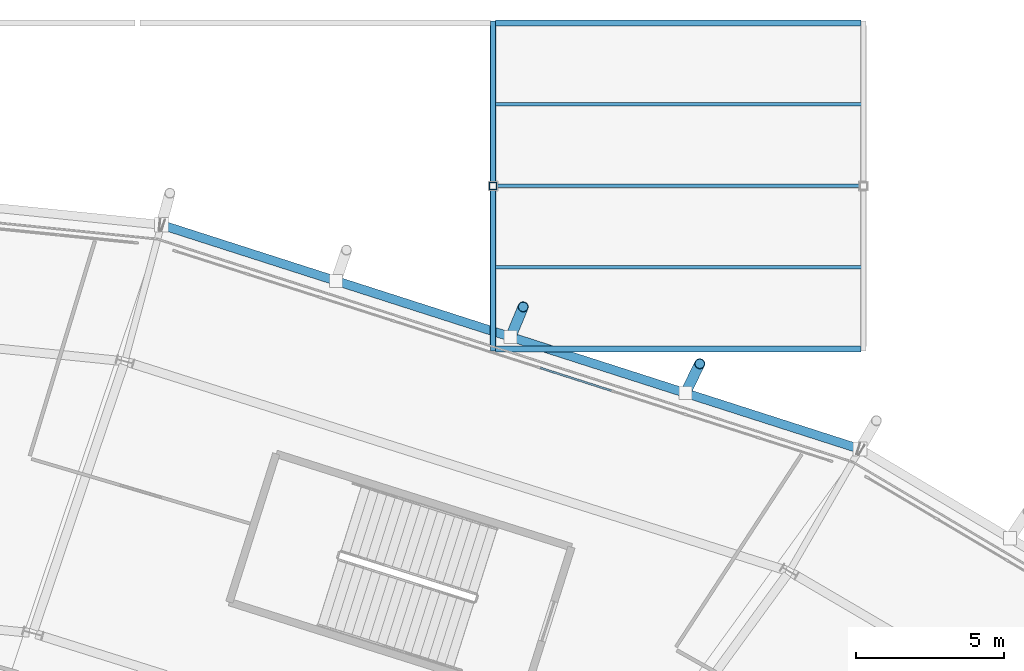
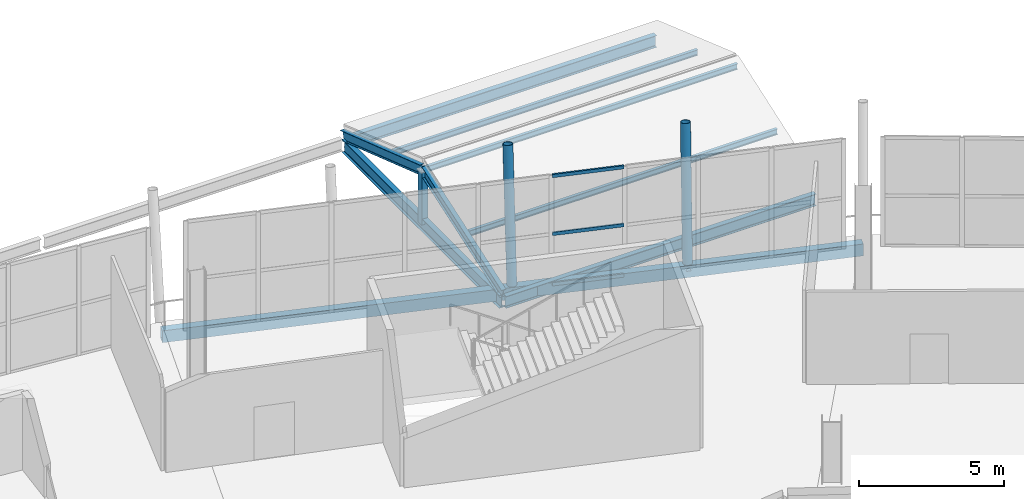
# One storey, part 59 of 126: 11 members, 4 beams, 1 element without a shape of its own.
"""IFC4 building model written with IfcOpenShell, lengths in metres."""

from ifc_helpers import new_model, si_unit, direction, frame, origin, origin_2d, place, context, subcontext, project, spatial, rectangle, hollow_rectangle, hollow_circle, i_section, extrude, material, material_profile, profile_set, type_object, element, aggregate, save


model = new_model("IFC4")

# Units and contexts
model_context = context("Model", 3, precision=1e-05, world=origin(), true_north=direction((0.0, 1.0)))
body_context = subcontext(model_context, "Body", "Model", "MODEL_VIEW")
ifc_project = project(units=[si_unit("LENGTHUNIT", "METRE"), si_unit("AREAUNIT", "SQUARE_METRE"), si_unit("VOLUMEUNIT", "CUBIC_METRE"), si_unit("PLANEANGLEUNIT", "RADIAN"), si_unit("MASSUNIT", "GRAM", prefix="KILO")], contexts=[model_context])

# Site, building, storey
site_placement = place(None, origin())
site = spatial("IfcSite", under=ifc_project, at=site_placement, CompositionType="ELEMENT")
building_placement = place(site_placement, origin())
building = spatial("IfcBuilding", under=site, at=building_placement, Name="Zlatoyarsky Gate Stadium", CompositionType="ELEMENT")
storey_placement = place(building_placement, frame((0.0, 0.0, 20.800048828125)))
storey = spatial("IfcBuildingStorey", under=building, at=storey_placement, Name="L04", CompositionType="ELEMENT", Elevation=20.800048828125)

# Curtain wall, members
ifc_material_1 = material(Name="Thermally broken anodised aluminium curtain wall", Category="aluminium")
curtain_wall_type = type_object("IfcCurtainWallType", Name="UNITISED MEDIA RING GLAZING L04", PredefinedType="USERDEFINED", material=ifc_material_1)
curtain_wall_placement = place(storey_placement, origin())
curtain_wall = element("IfcCurtainWall", 1, at=curtain_wall_placement, inside=storey, type_object=curtain_wall_type, Name="Curtain wall CW-L04-04", ObjectType="UNITISED GLAZING", PredefinedType="USERDEFINED")
ifc_material_2 = material(Name="Anodised aluminium 6063-T6", Category="aluminium")
ifc_material_profile_1 = material_profile(ifc_material_2, rectangle(XDim=0.06494140625, YDim=0.139892578125, at=origin_2d()), Name="ALU 65X140")
ifc_profile_set_1 = profile_set([ifc_material_profile_1], Name="Anodised aluminium 6063-T6")
member_type_1 = type_object("IfcMemberType", Name="ALUMINIUM TRANSOM 65X140", PredefinedType="USERDEFINED", material=ifc_profile_set_1)
member_1_placement = place(storey_placement, frame((151.49365234375, 147.588134765625, 0.032470703125), z_axis=(-0.952335304296, 0.305053221901, 0.0), x_axis=(-0.305053221901, -0.952335304296, 0.0)))
member_1 = element("IfcMember", 2, at=member_1_placement, type_object=member_type_1, Name="CW-UG4 transom 4.1", ObjectType="TRANSOM", PredefinedType="USERDEFINED", context=body_context, shape_type="SweptSolid", body=[
    extrude(rectangle(XDim=0.06494140625, YDim=0.139892578125, at=origin_2d()), origin(), (0.0, 0.0, 1.0), 2.521728515625),
])
member_2_placement = place(storey_placement, frame((151.49365234375, 147.588134765625, 2.14990234375), z_axis=(-0.952335304296, 0.305053221901, 0.0), x_axis=(-0.305053221901, -0.952335304296, 0.0)))
member_2 = element("IfcMember", 3, at=member_2_placement, type_object=member_type_1, Name="CW-UG4 transom 4.2", ObjectType="TRANSOM", PredefinedType="USERDEFINED", context=body_context, shape_type="SweptSolid", body=[
    extrude(rectangle(XDim=0.06494140625, YDim=0.139892578125, at=origin_2d()), origin(), (0.0, 0.0, 1.0), 2.521728515625),
])
member_3_placement = place(storey_placement, frame((151.49365234375, 147.588134765625, 4.58740234375), z_axis=(-0.952335304296, 0.305053221901, 0.0), x_axis=(-0.305053221901, -0.952335304296, 0.0)))
member_3 = element("IfcMember", 4, at=member_3_placement, type_object=member_type_1, Name="CW-UG4 transom 4.3", ObjectType="TRANSOM", PredefinedType="USERDEFINED", context=body_context, shape_type="SweptSolid", body=[
    extrude(rectangle(XDim=0.06494140625, YDim=0.139892578125, at=origin_2d()), origin(), (0.0, 0.0, 1.0), 2.521728515625),
])
aggregate(curtain_wall, [member_1, member_2, member_3])

# Beams
ifc_material_3 = material(Name="Steel S355", Category="steel")
ifc_material_profile_2 = material_profile(ifc_material_3, i_section(OverallWidth=0.199951171875, OverallDepth=0.5, WebThickness=0.01025390625, FlangeThickness=0.01611328125, FilletRadius=0.02099609375, at=origin_2d()), Name="IPE 500")
ifc_profile_set_2 = profile_set([ifc_material_profile_2], Name="Steel S355")
beam_type_1 = type_object("IfcBeamType", Name="STEEL FLOOR BEAM IPE 500", PredefinedType="BEAM", material=ifc_profile_set_2)
for number, where, z_axis, x_axis, name in (
    (5, (147.580078125, 149.0, -0.550048828125), (1.0, 0.0, 0.0), (0.0, 1.0, 0.0), "Beam B-IPE500 BM-L04-WGX-13-P"),
    (6, (147.580078125, 160.0, -0.550048828125), (1.0, 0.0, 0.0), (0.0, 1.0, 0.0), "Beam B-IPE500 BM-L04-WGX-13-Q"),
):
    element("IfcBeam", number, at=place(storey_placement, frame(where, z_axis=z_axis, x_axis=x_axis)), inside=storey, type_object=beam_type_1, Name=name, PredefinedType="BEAM", context=body_context, shape_type="SweptSolid", body=[
        extrude(i_section(OverallWidth=0.199951171875, OverallDepth=0.5, WebThickness=0.01025390625, FlangeThickness=0.01611328125, FilletRadius=0.02099609375, at=origin_2d()), origin(), (0.0, 0.0, 1.0), 12.33984375),
    ])
ifc_material_profile_3 = material_profile(ifc_material_3, i_section(OverallWidth=0.2099609375, OverallDepth=0.550048828125, WebThickness=0.010986328125, FlangeThickness=0.01708984375, FilletRadius=0.02392578125, at=origin_2d()), Name="IPE 550")
ifc_profile_set_3 = profile_set([ifc_material_profile_3], Name="Steel S355")
beam_type_2 = type_object("IfcBeamType", Name="STEEL FLOOR BEAM IPE 550", PredefinedType="BEAM", material=ifc_profile_set_3)
beam_1_placement = place(storey_placement, frame((147.5, 149.080078125, -0.574951171875), z_axis=(0.0, 1.0, 0.0), x_axis=(-1.0, 0.0, 0.0)))
element("IfcBeam", 7, at=beam_1_placement, inside=storey, type_object=beam_type_2, Name="Beam B-IPE550 BM-L04-WGY-13-P", PredefinedType="BEAM", context=body_context, shape_type="SweptSolid", body=[
    extrude(i_section(OverallWidth=0.2099609375, OverallDepth=0.550048828125, WebThickness=0.010986328125, FlangeThickness=0.01708984375, FilletRadius=0.02392578125, at=origin_2d()), origin(), (0.0, 0.0, 1.0), 10.83984375),
])

# Members
ifc_material_profile_4 = material_profile(ifc_material_3, hollow_circle(Radius=0.177734375, WallThickness=0.02001953125, at=origin_2d()), Name="CHS 355.6X20")
ifc_profile_set_4 = profile_set([ifc_material_profile_4], Name="Steel S355")
member_type_2 = type_object("IfcMemberType", Name="STEEL LEANING RIB RING STRUT CHS 355.6X20", PredefinedType="STRUT", material=ifc_profile_set_4)
member_4_placement = place(storey_placement, frame((153.98974609375, 147.5107421875, -0.550048828125), z_axis=(0.087841760653, 0.177926851198, 0.980115228281), x_axis=(-0.896676847693, 0.442685702063, 0.0)))
element("IfcMember", 8, at=member_4_placement, inside=storey, type_object=member_type_2, Name="Outward-leaning bowl louvre fin rib L04 04-1", PredefinedType="STRUT", context=body_context, shape_type="SweptSolid", body=[
    extrude(hollow_circle(Radius=0.177734375, WallThickness=0.02001953125, at=origin_2d()), origin(), (0.0, 0.0, 1.0), 5.55029296875),
])
member_5_placement = place(storey_placement, frame((148.0947265625, 149.403076171875, -0.550048828125), z_axis=(0.07579552226, 0.182956225814, 0.980194908292), x_axis=(-0.923857085689, 0.382737619294, 0.0)))
element("IfcMember", 9, at=member_5_placement, inside=storey, type_object=member_type_2, Name="Outward-leaning bowl louvre fin rib L04 04-2", PredefinedType="STRUT", context=body_context, shape_type="SweptSolid", body=[
    extrude(hollow_circle(Radius=0.177734375, WallThickness=0.02001953125, at=origin_2d()), origin(), (0.0, 0.0, 1.0), 5.5498046875),
])

# Beam
ifc_material_profile_5 = material_profile(ifc_material_3, hollow_rectangle(XDim=0.300048828125, YDim=0.5, WallThickness=0.02001953125, at=origin_2d()), Name="RHS 500X300X20")
ifc_profile_set_5 = profile_set([ifc_material_profile_5], Name="Steel S355")
beam_type_3 = type_object("IfcBeamType", Name="STEEL LOUVRE CARRIER SPANDREL RHS 500X300X20", PredefinedType="SPANDREL", material=ifc_profile_set_5)
beam_2_placement = place(storey_placement, frame((159.86572265625, 145.62451171875, -0.550048828125), z_axis=(-0.952146534083, 0.305641910794, 0.0), x_axis=(-0.305641910794, -0.952146534083, 0.0)))
element("IfcBeam", 10, at=beam_2_placement, inside=storey, type_object=beam_type_3, Name="Beam SP-RHS500 BM-L04-SPD-04", PredefinedType="SPANDREL", context=body_context, shape_type="SweptSolid", body=[
    extrude(hollow_rectangle(XDim=0.300048828125, YDim=0.5, WallThickness=0.02001953125, at=origin_2d()), origin(), (0.0, 0.0, 1.0), 24.725341796875),
])

# Members
ifc_material_profile_6 = material_profile(ifc_material_3, i_section(OverallWidth=0.1201171875, OverallDepth=0.239990234375, WebThickness=0.006103515625, FlangeThickness=0.009765625, FilletRadius=0.014892578125, at=origin_2d()), Name="IPE 240")
ifc_profile_set_6 = profile_set([ifc_material_profile_6], Name="Steel S355")
member_type_3 = type_object("IfcMemberType", Name="STEEL PAVILION ROOF PURLIN IPE 240", PredefinedType="PURLIN", material=ifc_profile_set_6)
for number, where, z_axis, x_axis, name in (
    (11, (147.5, 154.5, 1.669921875), (1.0, 0.0, 0.0), (0.0, 1.0, 0.0), "V2_NORTH_E ridge purlin 1"),
    (12, (147.5, 151.75, 0.594970703125), (1.0, 0.0, 0.0), (0.0, 1.0, 0.0), "V2_NORTH_E roof purlin 1S"),
    (13, (147.5, 157.25, 0.594970703125), (1.0, 0.0, 0.0), (0.0, 1.0, 0.0), "V2_NORTH_E roof purlin 1N"),
):
    element("IfcMember", number, at=place(storey_placement, frame(where, z_axis=z_axis, x_axis=x_axis)), inside=storey, type_object=member_type_3, Name=name, PredefinedType="PURLIN", context=body_context, shape_type="SweptSolid", body=[
        extrude(i_section(OverallWidth=0.1201171875, OverallDepth=0.239990234375, WebThickness=0.006103515625, FlangeThickness=0.009765625, FilletRadius=0.014892578125, at=origin_2d()), origin(), (0.0, 0.0, 1.0), 12.5),
    ])
ifc_material_profile_7 = material_profile(ifc_material_3, i_section(OverallWidth=0.179931640625, OverallDepth=0.39990234375, WebThickness=0.008544921875, FlangeThickness=0.013427734375, FilletRadius=0.02099609375, at=origin_2d()), Name="IPE 400")
ifc_profile_set_7 = profile_set([ifc_material_profile_7], Name="Steel S355")
member_type_4 = type_object("IfcMemberType", Name="STEEL PAVILION ROOF RAFTER IPE 400", PredefinedType="RAFTER", material=ifc_profile_set_7)
for number, where, z_axis, x_axis, name in (
    (14, (147.5, 149.0, -0.199951171875), (0.0, 0.946779405011, 0.321883143776), (-1.0, 0.0, 0.0), "V2_NORTH_E roof rafter 1A"),
    (15, (147.5, 160.0, -0.199951171875), (0.0, -0.946779405011, 0.321883143776), (1.0, 0.0, 0.0), "V2_NORTH_E roof rafter 1B"),
):
    element("IfcMember", number, at=place(storey_placement, frame(where, z_axis=z_axis, x_axis=x_axis)), inside=storey, type_object=member_type_4, Name=name, PredefinedType="RAFTER", context=body_context, shape_type="SweptSolid", body=[
        extrude(i_section(OverallWidth=0.179931640625, OverallDepth=0.39990234375, WebThickness=0.008544921875, FlangeThickness=0.013427734375, FilletRadius=0.02099609375, at=origin_2d()), origin(), (0.0, 0.0, 1.0), 5.80908203125),
    ])
ifc_material_profile_8 = material_profile(ifc_material_3, hollow_rectangle(XDim=0.25, YDim=0.25, WallThickness=0.01611328125, at=origin_2d()), Name="SHS 250X250X16")
ifc_profile_set_8 = profile_set([ifc_material_profile_8], Name="Steel S355")
member_type_5 = type_object("IfcMemberType", Name="STEEL PAVILION TRUSS STRUT SHS 250X250X16", PredefinedType="STRUT", material=ifc_profile_set_8)
member_6_placement = place(storey_placement, frame((147.5, 154.5, -0.550048828125), z_axis=(0.0, 0.0, 1.0), x_axis=(1.0, 0.0, 0.0)))
element("IfcMember", 16, at=member_6_placement, inside=storey, type_object=member_type_5, Name="V2_NORTH_E king post strut 1", PredefinedType="STRUT", context=body_context, shape_type="SweptSolid", body=[
    extrude(hollow_rectangle(XDim=0.25, YDim=0.25, WallThickness=0.01611328125, at=origin_2d()), origin(), (0.0, 0.0, 1.0), 2.219970703125),
])

save(model, "model.ifc")
